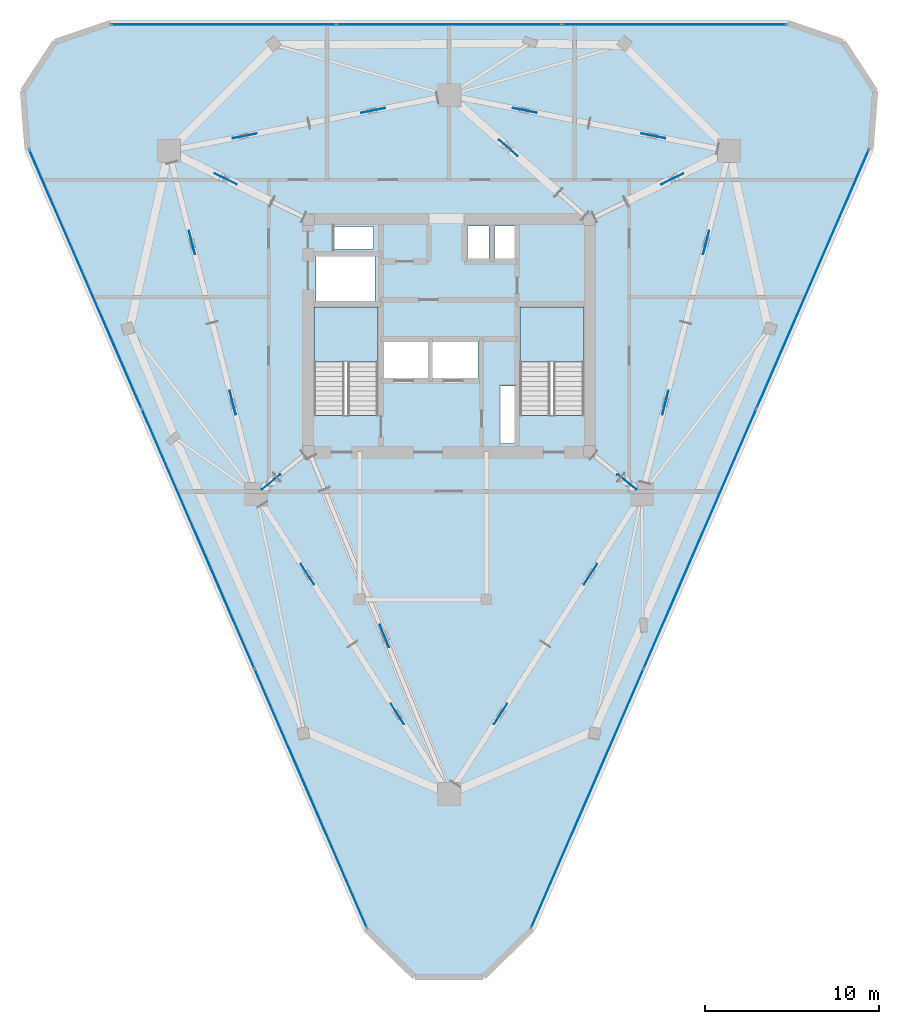
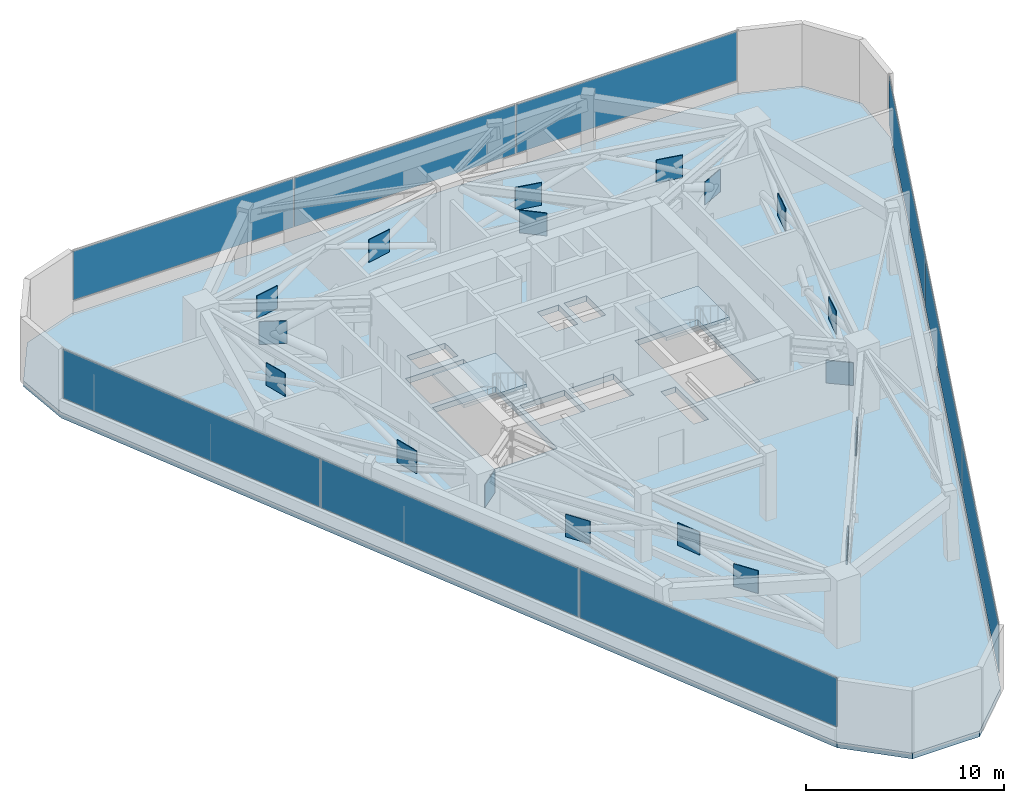
# One storey, part 8 of 12: 27 plates, 3 slabs, 5 elements without a shape of their own.
"""IFC4 building model written with IfcOpenShell, lengths in metres."""

from ifc_helpers import new_model, si_unit, direction, frame, origin, origin_2d, place, context, subcontext, project, spatial, polyline, rectangle, outline, extrude, material, layer, layer_set, type_object, element, aggregate, save


model = new_model("IFC4")

# Units and contexts
model_context = context("Model", 3, precision=1e-05, world=origin(), true_north=direction((0.0, 1.0)))
body_context = subcontext(model_context, "Body", "Model", "MODEL_VIEW")
ifc_project = project(units=[si_unit("LENGTHUNIT", "METRE"), si_unit("AREAUNIT", "SQUARE_METRE"), si_unit("VOLUMEUNIT", "CUBIC_METRE"), si_unit("PLANEANGLEUNIT", "RADIAN"), si_unit("MASSUNIT", "GRAM", prefix="KILO")], contexts=[model_context])

# Site, building, storey
site_placement = place(None, origin())
site = spatial("IfcSite", under=ifc_project, at=site_placement, CompositionType="ELEMENT")
building_placement = place(site_placement, origin())
building = spatial("IfcBuilding", under=site, at=building_placement, Name="Talyreon Biosciences Tower", CompositionType="ELEMENT")
storey_placement = place(building_placement, frame((0.0, 0.0, 227.39990234375)))
storey = spatial("IfcBuildingStorey", under=building, at=storey_placement, Name="L60", CompositionType="ELEMENT", Elevation=227.39990234375)

# Curtain wall, plates
ifc_material_1 = material(Name="Thermally broken aluminium and low-E glazing", Category="aluminium")
ifc_layer_1 = layer(ifc_material_1, 0.179931640625)
ifc_layer_set_1 = layer_set([ifc_layer_1], Name="Thermally broken aluminium and low-E glazing")
curtain_wall_type = type_object("IfcCurtainWallType", Name="CurtainWall_Zone4Optical", PredefinedType="NOTDEFINED", material=ifc_layer_set_1)
curtain_wall_1_placement = place(storey_placement, origin())
curtain_wall_1 = element("IfcCurtainWall", 1, at=curtain_wall_1_placement, inside=storey, type_object=curtain_wall_type, Name="L60 Unitised Curtain Wall FCW-L60-00", PredefinedType="NOTDEFINED")
ifc_material_2 = material(Name="Triple-silver low-E insulated glazing", Category="glass")
ifc_layer_2 = layer(ifc_material_2, 0.031982421875)
ifc_layer_set_2 = layer_set([ifc_layer_2], Name="Triple-silver low-E insulated glazing")
plate_type_1 = type_object("IfcPlateType", Name="CWGlazingPanel_32", PredefinedType="CURTAIN_PANEL", material=ifc_layer_set_2)
plate_1_placement = place(storey_placement, frame((58.0576171875, 41.41015625, 0.875), z_axis=(0.0, 0.0, 1.0), x_axis=(-0.398112405366, 0.917336640876, 0.0)))
plate_1 = element("IfcPlate", 2, at=plate_1_placement, type_object=plate_type_1, Name="CW5 panel 1.1", PredefinedType="CURTAIN_PANEL", context=body_context, shape_type="SweptSolid", body=[
    extrude(rectangle(XDim=16.1748046875, YDim=0.031982421875, at=origin_2d()), origin(), (0.0, 0.0, 1.0), 3.010009765625),
])
plate_2_placement = place(storey_placement, frame((51.5859375, 56.322265625, 0.875), z_axis=(0.0, 0.0, 1.0), x_axis=(-0.398112405366, 0.917336640876, 0.0)))
plate_2 = element("IfcPlate", 3, at=plate_2_placement, type_object=plate_type_1, Name="CW5 panel 2.1", PredefinedType="CURTAIN_PANEL", context=body_context, shape_type="SweptSolid", body=[
    extrude(rectangle(XDim=16.207275390625, YDim=0.031982421875, at=origin_2d()), origin(), (0.0, 0.0, 1.0), 3.010009765625),
])
plate_3_placement = place(storey_placement, frame((45.1142578125, 71.234619140625, 0.875), z_axis=(0.0, 0.0, 1.0), x_axis=(-0.398112405366, 0.917336640876, 0.0)))
plate_3 = element("IfcPlate", 4, at=plate_3_placement, type_object=plate_type_1, Name="CW5 panel 3.1", PredefinedType="CURTAIN_PANEL", context=body_context, shape_type="SweptSolid", body=[
    extrude(rectangle(XDim=16.1748046875, YDim=0.031982421875, at=origin_2d()), origin(), (0.0, 0.0, 1.0), 3.010009765625),
])
aggregate(curtain_wall_1, [plate_1, plate_2, plate_3])

curtain_wall_2_placement = place(storey_placement, origin())
curtain_wall_2 = element("IfcCurtainWall", 5, at=curtain_wall_2_placement, inside=storey, type_object=curtain_wall_type, Name="L60 Unitised Curtain Wall FCW-L60-04", PredefinedType="NOTDEFINED")
plate_4_placement = place(storey_placement, frame((53.059814453125, 85.87158203125, 0.875), z_axis=(0.0, 0.0, 1.0), x_axis=(1.0, 0.0, 0.0)))
plate_4 = element("IfcPlate", 6, at=plate_4_placement, type_object=plate_type_1, Name="CW5 panel 1.1", PredefinedType="CURTAIN_PANEL", context=body_context, shape_type="SweptSolid", body=[
    extrude(rectangle(XDim=12.85888671875, YDim=0.031982421875, at=origin_2d()), origin(), (0.0, 0.0, 1.0), 3.010009765625),
])
plate_5_placement = place(storey_placement, frame((66.0, 85.87158203125, 0.875), z_axis=(0.0, 0.0, 1.0), x_axis=(1.0, 0.0, 0.0)))
plate_5 = element("IfcPlate", 7, at=plate_5_placement, type_object=plate_type_1, Name="CW5 panel 2.1", PredefinedType="CURTAIN_PANEL", context=body_context, shape_type="SweptSolid", body=[
    extrude(rectangle(XDim=12.891357421875, YDim=0.031982421875, at=origin_2d()), origin(), (0.0, 0.0, 1.0), 3.010009765625),
])
plate_6_placement = place(storey_placement, frame((78.940185546875, 85.87158203125, 0.875), z_axis=(0.0, 0.0, 1.0), x_axis=(1.0, 0.0, 0.0)))
plate_6 = element("IfcPlate", 8, at=plate_6_placement, type_object=plate_type_1, Name="CW5 panel 3.1", PredefinedType="CURTAIN_PANEL", context=body_context, shape_type="SweptSolid", body=[
    extrude(rectangle(XDim=12.85888671875, YDim=0.031982421875, at=origin_2d()), origin(), (0.0, 0.0, 1.0), 3.010009765625),
])
aggregate(curtain_wall_2, [plate_4, plate_5, plate_6])

curtain_wall_3_placement = place(storey_placement, origin())
curtain_wall_3 = element("IfcCurtainWall", 9, at=curtain_wall_3_placement, inside=storey, type_object=curtain_wall_type, Name="L60 Unitised Curtain Wall FCW-L60-08", PredefinedType="NOTDEFINED")
plate_7_placement = place(storey_placement, frame((86.8857421875, 71.234619140625, 0.875), z_axis=(0.0, 0.0, 1.0), x_axis=(-0.398112405366, -0.917336640876, 0.0)))
plate_7 = element("IfcPlate", 10, at=plate_7_placement, type_object=plate_type_1, Name="CW5 panel 1.1", PredefinedType="CURTAIN_PANEL", context=body_context, shape_type="SweptSolid", body=[
    extrude(rectangle(XDim=16.1748046875, YDim=0.031982421875, at=origin_2d()), origin(), (0.0, 0.0, 1.0), 3.010009765625),
])
plate_8_placement = place(storey_placement, frame((80.4140625, 56.322265625, 0.875), z_axis=(0.0, 0.0, 1.0), x_axis=(-0.398112405366, -0.917336640876, 0.0)))
plate_8 = element("IfcPlate", 11, at=plate_8_placement, type_object=plate_type_1, Name="CW5 panel 2.1", PredefinedType="CURTAIN_PANEL", context=body_context, shape_type="SweptSolid", body=[
    extrude(rectangle(XDim=16.207275390625, YDim=0.031982421875, at=origin_2d()), origin(), (0.0, 0.0, 1.0), 3.010009765625),
])
plate_9_placement = place(storey_placement, frame((73.9423828125, 41.41015625, 0.875), z_axis=(0.0, 0.0, 1.0), x_axis=(-0.398112405366, -0.917336640876, 0.0)))
plate_9 = element("IfcPlate", 12, at=plate_9_placement, type_object=plate_type_1, Name="CW5 panel 3.1", PredefinedType="CURTAIN_PANEL", context=body_context, shape_type="SweptSolid", body=[
    extrude(rectangle(XDim=16.1748046875, YDim=0.031982421875, at=origin_2d()), origin(), (0.0, 0.0, 1.0), 3.010009765625),
])
aggregate(curtain_wall_3, [plate_7, plate_8, plate_9])

# Slab
ifc_material_3 = material(Name="Concrete C50/60", Category="concrete")
ifc_layer_3 = layer(ifc_material_3, 0.35009765625)
ifc_layer_set_3 = layer_set([ifc_layer_3], Name="Concrete C50/60")
slab_type_1 = type_object("IfcSlabType", Name="PlantOutriggerSlab_350", PredefinedType="FLOOR", material=ifc_layer_set_3)
slab_1_placement = place(storey_placement, frame((0.0, 0.0, -0.349853515625)))
element("IfcSlab", 13, at=slab_1_placement, inside=storey, type_object=slab_type_1, Name="L60 Structural Floor Slab", PredefinedType="FLOOR", context=body_context, shape_type="SweptSolid", body=[
    extrude(outline(polyline([(61.229736328125, 33.89990234375), (41.795166015625, 78.681396484375), (41.52783203125, 82.041259765625), (43.376708984375, 84.859130859375), (46.5654296875, 85.951416015625), (85.4345703125, 85.951416015625), (88.623291015625, 84.859130859375), (90.47216796875, 82.041259765625), (90.204833984375, 78.681396484375), (70.770263671875, 33.89990234375), (67.963134765625, 31.15478515625), (64.036865234375, 31.15478515625), (61.229736328125, 33.89990234375)]), holes=[polyline([(69.820068359375, 65.10009765625), (69.820068359375, 61.800048828125), (68.9599609375, 61.800048828125), (68.9599609375, 65.10009765625), (69.820068359375, 65.10009765625)]), polyline([(61.929931640625, 69.64990234375), (61.929931640625, 63.407958984375), (58.25, 63.407958984375), (58.25, 69.64990234375), (61.929931640625, 69.64990234375)]), polyline([(73.75, 69.64990234375), (73.75, 63.407958984375), (70.070068359375, 63.407958984375), (70.070068359375, 69.64990234375), (73.75, 69.64990234375)]), polyline([(64.800048828125, 67.64990234375), (64.800048828125, 65.550048828125), (62.199951171875, 65.550048828125), (62.199951171875, 67.64990234375), (64.800048828125, 67.64990234375)]), polyline([(67.64990234375, 67.64990234375), (67.64990234375, 65.550048828125), (65.050048828125, 65.550048828125), (65.050048828125, 67.64990234375), (67.64990234375, 67.64990234375)]), polyline([(61.75, 72.550048828125), (61.75, 69.97998046875), (58.35009765625, 69.97998046875), (58.35009765625, 72.550048828125), (61.75, 72.550048828125)]), polyline([(68.300048828125, 74.300048828125), (68.300048828125, 72.35009765625), (67.050048828125, 72.35009765625), (67.050048828125, 74.300048828125), (68.300048828125, 74.300048828125)]), polyline([(69.919921875, 72.35009765625), (68.6201171875, 72.35009765625), (68.6201171875, 74.300048828125), (69.919921875, 74.300048828125), (69.919921875, 72.35009765625)]), polyline([(61.64990234375, 72.9599609375), (59.39990234375, 72.9599609375), (59.39990234375, 74.25), (61.64990234375, 74.25), (61.64990234375, 72.9599609375)])]), origin(), (0.0, 0.0, 1.0), 0.349853515625),
])

# Stair, slab
ifc_material_4 = material(Name="Concrete C40/50", Category="concrete")
stair_type = type_object("IfcStairType", Name="DoglegEscapeStair_4200", PredefinedType="HALF_TURN_STAIR", material=ifc_material_4)
stair_1_placement = place(storey_placement, origin())
stair_1 = element("IfcStair", 14, at=stair_1_placement, inside=storey, type_object=stair_type, Name="L60 Core Escape Stair 1", PredefinedType="HALF_TURN_STAIR")
ifc_layer_4 = layer(ifc_material_4, 0.199951171875)
ifc_layer_set_4 = layer_set([ifc_layer_4], Name="Concrete C40/50")
slab_type_2 = type_object("IfcSlabType", Name="StairLandingSlab_200", PredefinedType="LANDING", material=ifc_layer_set_4)
slab_2_placement = place(storey_placement, frame((0.0, 0.0, 1.900146484375)))
slab_2 = element("IfcSlab", 15, at=slab_2_placement, type_object=slab_type_2, Name="ST-1 landing 1", PredefinedType="LANDING", context=body_context, shape_type="SweptSolid", body=[
    extrude(outline(polyline([(61.929931640625, 66.47998046875), (61.929931640625, 69.64990234375), (58.25, 69.64990234375), (58.25, 66.47998046875), (61.929931640625, 66.47998046875)])), origin(), (0.0, 0.0, 1.0), 0.199951171875),
])
aggregate(stair_1, [slab_2])

stair_2_placement = place(storey_placement, origin())
stair_2 = element("IfcStair", 16, at=stair_2_placement, inside=storey, type_object=stair_type, Name="L60 Core Escape Stair 2", PredefinedType="HALF_TURN_STAIR")
slab_3_placement = place(storey_placement, frame((0.0, 0.0, 1.900146484375)))
slab_3 = element("IfcSlab", 17, at=slab_3_placement, type_object=slab_type_2, Name="ST-2 landing 1", PredefinedType="LANDING", context=body_context, shape_type="SweptSolid", body=[
    extrude(outline(polyline([(73.75, 66.47998046875), (73.75, 69.64990234375), (70.070068359375, 69.64990234375), (70.070068359375, 66.47998046875), (73.75, 66.47998046875)])), origin(), (0.0, 0.0, 1.0), 0.199951171875),
])
aggregate(stair_2, [slab_3])

# Plates
ifc_material_5 = material(Name="Steel SM355", Category="steel")
ifc_layer_5 = layer(ifc_material_5, 0.035888671875)
ifc_layer_set_5 = layer_set([ifc_layer_5], Name="Steel SM355")
plate_type_2 = type_object("IfcPlateType", Name="TrussGussetNodePlate_36", PredefinedType="SHEET", material=ifc_layer_set_5)
for number, where, z_axis, x_axis, name in (
    (18, (62.2900390625, 50.73779296875, 1.270263671875), (0.0, 0.0, 1.0), (0.378535538423, -0.925586757766, 0.0), "Truss node plate NP-OUT-L60-R1-X"),
    (19, (76.2138671875, 59.58984375, 1.270263671875), (0.0, 0.0, 1.0), (0.775771148967, -0.631014361508, 0.0), "Truss node plate NP-OUT-L60-R2-X"),
    (20, (78.82373046875, 76.990966796875, 1.270263671875), (0.0, 0.0, 1.0), (0.89785858505, 0.440283955252, 0.0), "Truss node plate NP-OUT-L60-R3-X"),
    (21, (69.402099609375, 78.771728515625, 1.270263671875), (0.0, 0.0, 1.0), (-0.748180360492, 0.663495401773, 0.0), "Truss node plate NP-OUT-L60-R4-X"),
    (22, (53.17626953125, 76.990966796875, 1.270263671875), (0.0, 0.0, 1.0), (-0.89785858505, 0.440283955252, 0.0), "Truss node plate NP-OUT-L60-R5-X"),
    (23, (55.7861328125, 59.58984375, 1.270263671875), (0.0, 0.0, 1.0), (-0.775771148967, -0.631014361508, 0.0), "Truss node plate NP-OUT-L60-R6-X"),
    (24, (68.95703125, 46.25830078125, 1.270263671875), (0.0, 0.0, 1.0), (0.54145878531, 0.840727294555, 0.0), "Truss node plate NP-BELT-L60-B1S1-X"),
    (25, (74.129150390625, 54.2890625, 1.270263671875), (0.0, 0.0, 1.0), (0.54145878531, 0.840727294555, 0.0), "Truss node plate NP-BELT-L60-B1S2-X"),
    (26, (78.4248046875, 64.141845703125, 1.270263671875), (0.0, 0.0, 1.0), (0.246542347409, 0.969132019352, 0.0), "Truss node plate NP-BELT-L60-B2S1-X"),
    (27, (80.763916015625, 73.337158203125, 1.270263671875), (0.0, 0.0, 1.0), (0.246542347409, 0.969132019352, 0.0), "Truss node plate NP-BELT-L60-B2S2-X"),
    (28, (77.74072265625, 79.462890625, 1.270263671875), (0.0, 0.0, 1.0), (-0.980934809797, 0.194337075538, 0.0), "Truss node plate NP-BELT-L60-B3S1-X"),
    (29, (70.361572265625, 80.9248046875, 1.270263671875), (0.0, 0.0, 1.0), (-0.980934809797, 0.194337075538, 0.0), "Truss node plate NP-BELT-L60-B3S2-X"),
    (30, (61.638427734375, 80.9248046875, 1.270263671875), (0.0, 0.0, 1.0), (-0.980934809797, -0.194337075538, 0.0), "Truss node plate NP-BELT-L60-B4S1-X"),
    (31, (54.259033203125, 79.462890625, 1.270263671875), (0.0, 0.0, 1.0), (-0.980934809797, -0.194337075538, 0.0), "Truss node plate NP-BELT-L60-B4S2-X"),
    (32, (51.236083984375, 73.337158203125, 1.270263671875), (0.0, 0.0, 1.0), (0.246542347409, -0.969132019352, 0.0), "Truss node plate NP-BELT-L60-B5S1-X"),
    (33, (53.5751953125, 64.141845703125, 1.270263671875), (0.0, 0.0, 1.0), (0.246542347409, -0.969132019352, 0.0), "Truss node plate NP-BELT-L60-B5S2-X"),
    (34, (57.870849609375, 54.2890625, 1.270263671875), (0.0, 0.0, 1.0), (0.54145878531, -0.840727294555, 0.0), "Truss node plate NP-BELT-L60-B6S1-X"),
    (35, (63.04296875, 46.25830078125, 1.270263671875), (0.0, 0.0, 1.0), (0.54145878531, -0.840727294555, 0.0), "Truss node plate NP-BELT-L60-B6S2-X"),
):
    element("IfcPlate", number, at=place(storey_placement, frame(where, z_axis=z_axis, x_axis=x_axis)), inside=storey, type_object=plate_type_2, Name=name, PredefinedType="SHEET", context=body_context, shape_type="SweptSolid", body=[
        extrude(rectangle(XDim=1.39990234375, YDim=0.035888671875, at=origin_2d()), origin(), (0.0, 0.0, 1.0), 1.39990234375),
    ])

save(model, "model.ifc")
